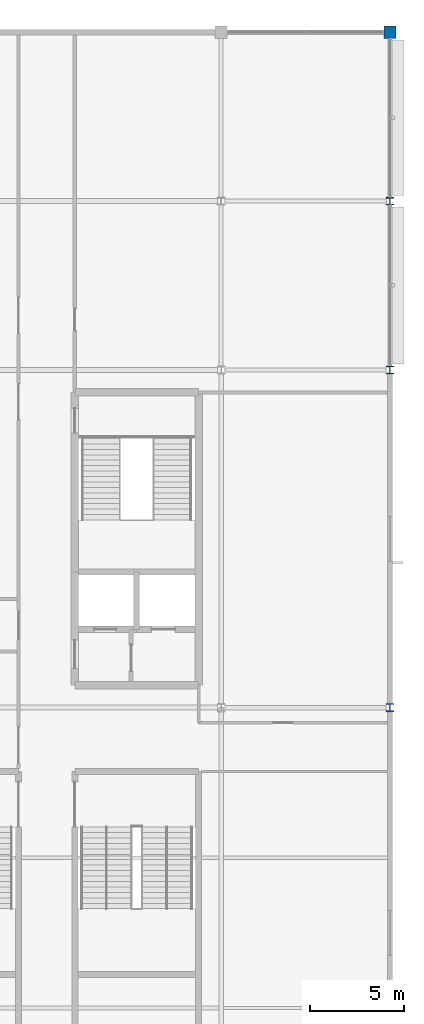
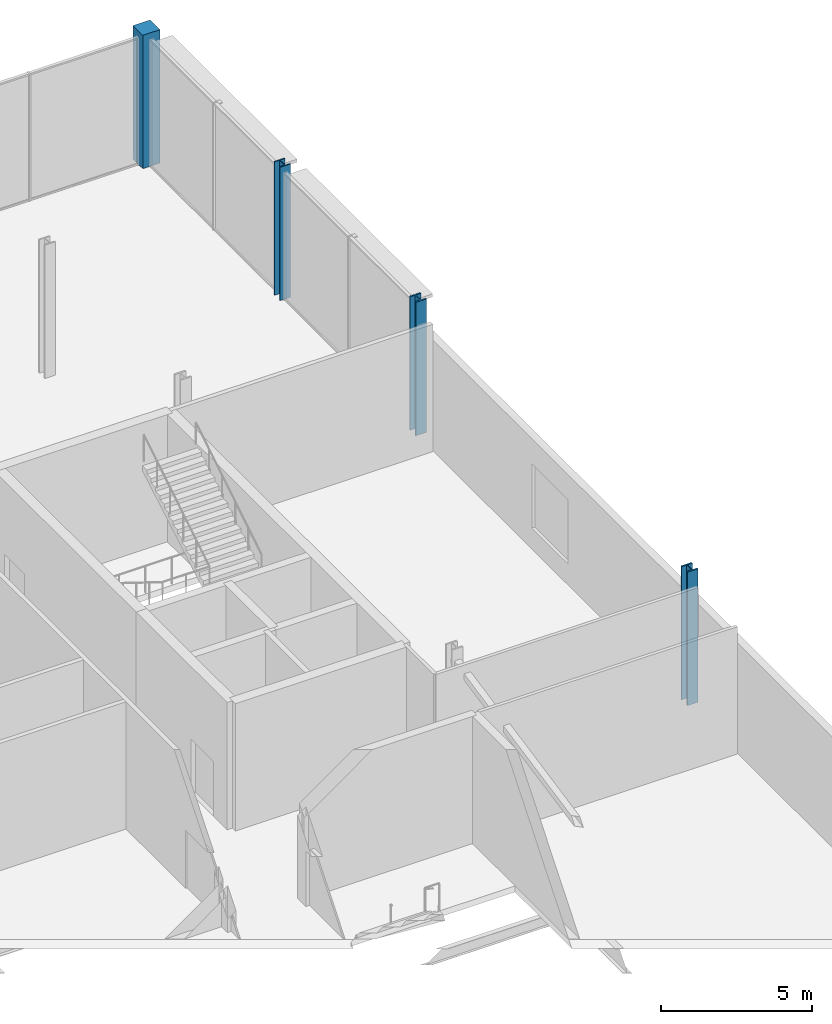
# One storey, part 10 of 113: 4 columns.
"""IFC4 building model written with IfcOpenShell, lengths in metres."""

from ifc_helpers import new_model, si_unit, direction, frame, origin, origin_2d, place, context, subcontext, project, spatial, rectangle, i_section, extrude, material, material_profile, profile_set, type_object, element, save


model = new_model("IFC4")

# Units and contexts
model_context = context("Model", 3, precision=1e-05, world=origin(), true_north=direction((0.0, 1.0)))
body_context = subcontext(model_context, "Body", "Model", "MODEL_VIEW")
ifc_project = project(units=[si_unit("LENGTHUNIT", "METRE"), si_unit("AREAUNIT", "SQUARE_METRE"), si_unit("VOLUMEUNIT", "CUBIC_METRE"), si_unit("PLANEANGLEUNIT", "RADIAN"), si_unit("MASSUNIT", "GRAM", prefix="KILO")], contexts=[model_context])

# Site, building, storey
site_placement = place(None, origin())
site = spatial("IfcSite", under=ifc_project, at=site_placement, CompositionType="ELEMENT")
building_placement = place(site_placement, origin())
building = spatial("IfcBuilding", under=site, at=building_placement, Name="Kisiwana Market Hall", CompositionType="ELEMENT")
storey_placement = place(building_placement, frame((0.0, 0.0, 6.0)))
storey = spatial("IfcBuildingStorey", under=building, at=storey_placement, Name="L01", CompositionType="ELEMENT", Elevation=6.0)

# Columns
ifc_material_1 = material(Name="Concrete C40/50", Category="concrete")
ifc_material_profile_1 = material_profile(ifc_material_1, rectangle(XDim=0.64990234375, YDim=0.64990234375, at=origin_2d()), Name="RC 650x650")
ifc_profile_set_1 = profile_set([ifc_material_profile_1], Name="Concrete C40/50")
column_type_1 = type_object("IfcColumnType", Name="COL-RC-POD-650", PredefinedType="COLUMN", material=ifc_profile_set_1)
column_1_placement = place(storey_placement, frame((198.0, 120.0, 0.0), z_axis=(0.0, 0.0, 1.0), x_axis=(1.0, 0.0, 0.0)))
element("IfcColumn", 1, at=column_1_placement, inside=storey, type_object=column_type_1, Name="Column Q/23 (L01) C-0493", PredefinedType="COLUMN", context=body_context, shape_type="SweptSolid", body=[
    extrude(rectangle(XDim=0.64990234375, YDim=0.64990234375, at=origin_2d()), origin(), (0.0, 0.0, 1.0), 5.39990234375),
])
ifc_material_2 = material(Name="Steel S355", Category="steel")
ifc_material_profile_2 = material_profile(ifc_material_2, i_section(OverallWidth=0.412109375, OverallDepth=0.43505859375, WebThickness=0.035888671875, FlangeThickness=0.05810546875, at=origin_2d()), Name="HD 400x463")
ifc_profile_set_2 = profile_set([ifc_material_profile_2], Name="Steel S355")
column_type_2 = type_object("IfcColumnType", Name="COL-STL-HD463", PredefinedType="COLUMN", material=ifc_profile_set_2)
for number, where, z_axis, x_axis, name in (
    (2, (198.0, 84.0, 0.0), (0.0, 0.0, 1.0), (1.0, 0.0, 0.0), "Column L/23 (L01) C-0490"),
    (3, (198.0, 102.0, 0.0), (0.0, 0.0, 1.0), (1.0, 0.0, 0.0), "Column N/23 (L01) C-0491"),
):
    element("IfcColumn", number, at=place(storey_placement, frame(where, z_axis=z_axis, x_axis=x_axis)), inside=storey, type_object=column_type_2, Name=name, PredefinedType="COLUMN", context=body_context, shape_type="SweptSolid", body=[
        extrude(i_section(OverallWidth=0.412109375, OverallDepth=0.43505859375, WebThickness=0.035888671875, FlangeThickness=0.05810546875, at=origin_2d()), origin(), (0.0, 0.0, 1.0), 5.39990234375),
    ])
ifc_material_3 = material(Name="Steel S355", Category="steel")
ifc_material_profile_3 = material_profile(ifc_material_3, i_section(OverallWidth=0.403076171875, OverallDepth=0.406494140625, WebThickness=0.026611328125, FlangeThickness=0.04296875, at=origin_2d()), Name="UC 356x406x340")
ifc_profile_set_3 = profile_set([ifc_material_profile_3], Name="Steel S355")
column_type_3 = type_object("IfcColumnType", Name="COL-STL-UC340", PredefinedType="COLUMN", material=ifc_profile_set_3)
column_2_placement = place(storey_placement, frame((198.0, 111.0, 0.0), z_axis=(0.0, 0.0, 1.0), x_axis=(1.0, 0.0, 0.0)))
element("IfcColumn", 4, at=column_2_placement, inside=storey, type_object=column_type_3, Name="Column P/23 (L01) C-0492", PredefinedType="COLUMN", context=body_context, shape_type="SweptSolid", body=[
    extrude(i_section(OverallWidth=0.403076171875, OverallDepth=0.406494140625, WebThickness=0.026611328125, FlangeThickness=0.04296875, at=origin_2d()), origin(), (0.0, 0.0, 1.0), 5.39990234375),
])

save(model, "model.ifc")
